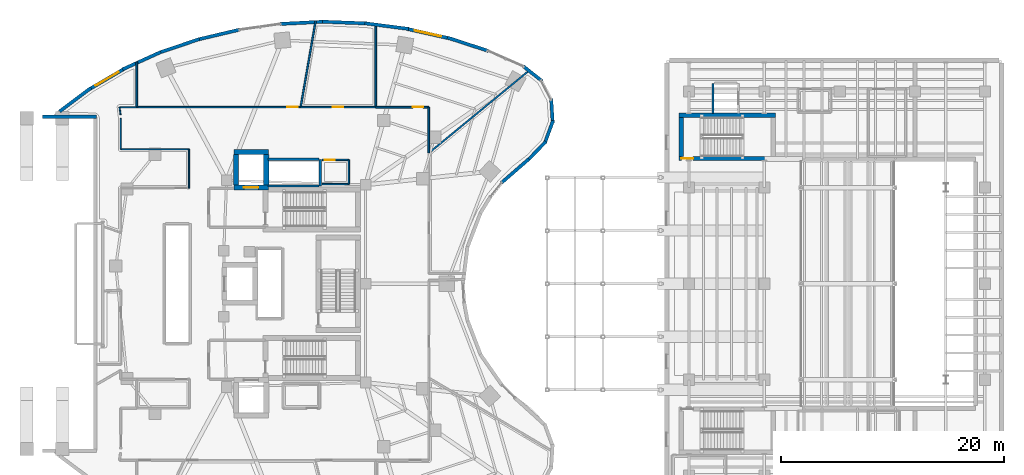
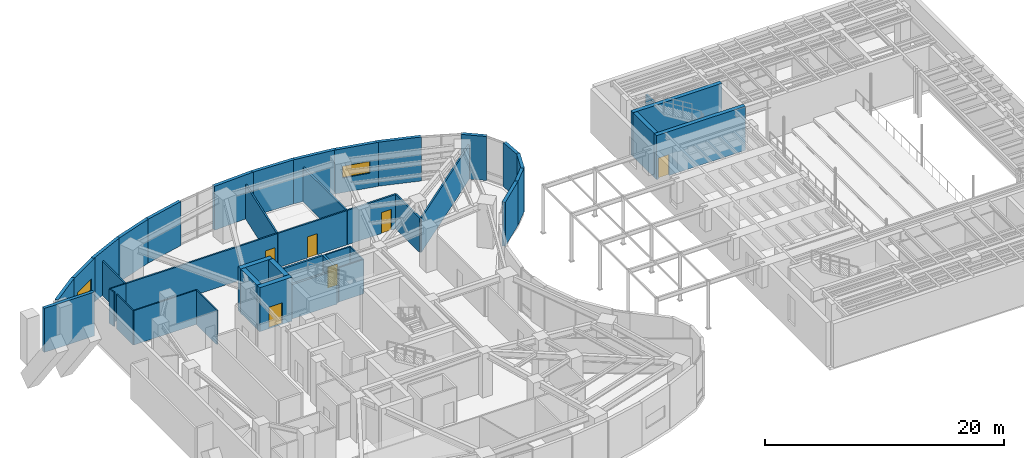
# One storey, part 18 of 24: 43 walls, 6 doors, 2 windows, 8 openings.
"""IFC4 building model written with IfcOpenShell, lengths in metres."""

from ifc_helpers import new_model, si_unit, direction, frame, frame_2d, origin, place, context, subcontext, project, spatial, rectangle, extrude, material, layer, layer_set, type_object, element, fill, save


model = new_model("IFC4")

# Units and contexts
model_context = context("Model", 3, precision=1e-05, world=origin(), true_north=direction((0.0, 1.0)))
body_context = subcontext(model_context, "Body", "Model", "MODEL_VIEW")
ifc_project = project(units=[si_unit("LENGTHUNIT", "METRE"), si_unit("AREAUNIT", "SQUARE_METRE"), si_unit("VOLUMEUNIT", "CUBIC_METRE"), si_unit("PLANEANGLEUNIT", "RADIAN"), si_unit("MASSUNIT", "GRAM", prefix="KILO")], contexts=[model_context])

# Site, building, storey
site_placement = place(None, origin())
site = spatial("IfcSite", under=ifc_project, at=site_placement, CompositionType="ELEMENT")
building_placement = place(site_placement, origin())
building = spatial("IfcBuilding", under=site, at=building_placement, Name="Korentha Bioscience Tower", CompositionType="ELEMENT")
storey_placement = place(building_placement, frame((0.0, 0.0, 5.39990234375)))
storey = spatial("IfcBuildingStorey", under=building, at=storey_placement, Name="L01", CompositionType="ELEMENT", Elevation=5.39990234375)

# Wall, opening, door
ifc_material_1 = material(Name="Double-Stud Acoustic Gypsum", Category="gypsum")
ifc_layer_1 = layer(ifc_material_1, 0.14990234375, Name="Double-Stud Acoustic Gypsum")
ifc_layer_set_1 = layer_set([ifc_layer_1], Name="Double-Stud Acoustic Gypsum (IW-L150)")
wall_type_1 = type_object("IfcWallType", Name="Acoustic Laboratory Partition Wall 150", PredefinedType="PARTITIONING", material=ifc_layer_set_1)
wall_1_placement = place(storey_placement, frame((38.44189453125, 42.81005859375, 0.0), z_axis=(0.0, 0.0, 1.0), x_axis=(-1.0, 0.0, 0.0)))
wall_1 = element("IfcWall", 1, at=wall_1_placement, inside=storey, type_object=wall_type_1, Name="L01 Translational Symposium Lecture Room 11 Entrance Wall", PredefinedType="PARTITIONING", context=body_context, shape_type="SweptSolid", body=[
    extrude(rectangle(XDim=6.71142578125, YDim=0.14990234375, at=frame_2d((3.355712890625, 0.0))), origin(), (0.0, 0.0, 1.0), 3.510009765625),
])
opening_1_placement = place(wall_1_placement, frame((2.878662109375, 0.0, 0.0)))
opening_1 = element("IfcOpeningElement", 2, at=opening_1_placement, cuts=wall_1, Name="Opening ID-10R", PredefinedType="OPENING", context=body_context, shape_type="SweptSolid", body=[
    extrude(rectangle(XDim=0.949951171875, YDim=2.14990234375, at=frame_2d((0.47509765625, 1.074951171875))), frame((0.0, 0.08984375, 0.0), z_axis=(0.0, -1.0, 0.0), x_axis=(1.0, 0.0, 0.0)), (0.0, 0.0, 1.0), 0.1796875),
])
ifc_material_2 = material(Name="Phenolic Laminate Timber Core", Category="wood")
door_type_1 = type_object("IfcDoorType", Name="Laboratory Single Leaf Door 950x2150 Right", OperationType="SINGLE_SWING_RIGHT", PredefinedType="DOOR", material=ifc_material_2)
door_1_placement = place(opening_1_placement, origin())
door_1 = element("IfcDoor", 3, at=door_1_placement, inside=storey, type_object=door_type_1, Name="L01 Translational Symposium Lecture Room 11 Door", OperationType="SINGLE_SWING_RIGHT", OverallHeight=2.14990234375, OverallWidth=0.949951171875, PredefinedType="DOOR", context=body_context, shape_type="SweptSolid", body=[
    extrude(rectangle(XDim=0.949951171875, YDim=2.14990234375, at=frame_2d((0.47509765625, 1.074951171875))), frame((0.0, 0.02490234375, 0.0), z_axis=(0.0, -1.0, 0.0), x_axis=(1.0, 0.0, 0.0)), (0.0, 0.0, 1.0), 0.050048828125),
])
fill(opening_1, door_1)

wall_2_placement = place(storey_placement, frame((31.720703125, 42.81005859375, 0.0), z_axis=(0.0, 0.0, 1.0), x_axis=(-1.0, 0.0, 0.0)))
wall_2 = element("IfcWall", 4, at=wall_2_placement, inside=storey, type_object=wall_type_1, Name="L01 Academic Poster Exhibition Lounge 12 Entrance Wall", PredefinedType="PARTITIONING", context=body_context, shape_type="SweptSolid", body=[
    extrude(rectangle(XDim=14.668701171875, YDim=0.14990234375, at=frame_2d((7.33447265625, 0.0))), origin(), (0.0, 0.0, 1.0), 3.510009765625),
])
opening_2_placement = place(wall_2_placement, frame((0.239990234375, 0.0, 0.0)))
opening_2 = element("IfcOpeningElement", 5, at=opening_2_placement, cuts=wall_2, Name="Opening ID-10L", PredefinedType="OPENING", context=body_context, shape_type="SweptSolid", body=[
    extrude(rectangle(XDim=0.949951171875, YDim=2.14990234375, at=frame_2d((0.47509765625, 1.074951171875))), frame((0.0, 0.08984375, 0.0), z_axis=(0.0, -1.0, 0.0), x_axis=(1.0, 0.0, 0.0)), (0.0, 0.0, 1.0), 0.1796875),
])
door_type_2 = type_object("IfcDoorType", Name="Laboratory Single Leaf Door 950x2150 Left", OperationType="SINGLE_SWING_LEFT", PredefinedType="DOOR", material=ifc_material_2)
door_2_placement = place(opening_2_placement, origin())
door_2 = element("IfcDoor", 6, at=door_2_placement, inside=storey, type_object=door_type_2, Name="L01 Academic Poster Exhibition Lounge 12 Door", OperationType="SINGLE_SWING_LEFT", OverallHeight=2.14990234375, OverallWidth=0.949951171875, PredefinedType="DOOR", context=body_context, shape_type="SweptSolid", body=[
    extrude(rectangle(XDim=0.949951171875, YDim=2.14990234375, at=frame_2d((0.47509765625, 1.074951171875))), frame((0.0, 0.02490234375, 0.0), z_axis=(0.0, -1.0, 0.0), x_axis=(1.0, 0.0, 0.0)), (0.0, 0.0, 1.0), 0.050048828125),
])
fill(opening_2, door_2)

# Walls
wall_3_placement = place(storey_placement, frame((43.2099609375, 38.7041015625, 0.0), z_axis=(0.0, 0.0, 1.0), x_axis=(0.772389381315, 0.635149308141, 0.0)))
element("IfcWall", 7, at=wall_3_placement, inside=storey, type_object=wall_type_1, Name="L01 Interior Partition 046", PredefinedType="PARTITIONING", context=body_context, shape_type="SweptSolid", body=[
    extrude(rectangle(XDim=11.721435546875, YDim=0.14990234375, at=frame_2d((5.86083984375, 0.0))), origin(), (0.0, 0.0, 1.0), 3.510009765625),
])
wall_4_placement = place(storey_placement, frame((31.73046875, 42.81005859375, 0.0), z_axis=(0.0, 0.0, 1.0), x_axis=(0.171661622949, 0.985155971005, 0.0)))
element("IfcWall", 8, at=wall_4_placement, inside=storey, type_object=wall_type_1, Name="L01 Interior Partition 049", PredefinedType="PARTITIONING", context=body_context, shape_type="SweptSolid", body=[
    extrude(rectangle(XDim=7.844970703125, YDim=0.14990234375, at=frame_2d((3.92236328125, 0.0))), origin(), (0.0, 0.0, 1.0), 3.510009765625),
])
wall_5_placement = place(storey_placement, frame((17.052001953125, 42.81005859375, 0.0), z_axis=(0.0, 0.0, 1.0), x_axis=(0.0, 1.0, 0.0)))
element("IfcWall", 9, at=wall_5_placement, inside=storey, type_object=wall_type_1, Name="L01 Interior Partition 050", PredefinedType="PARTITIONING", context=body_context, shape_type="SweptSolid", body=[
    extrude(rectangle(XDim=4.06298828125, YDim=0.14990234375, at=frame_2d((2.031494140625, 0.0))), origin(), (0.0, 0.0, 1.0), 3.510009765625),
])
ifc_material_3 = material(Name="Fire-Rated Framed Glass", Category="glass")
ifc_layer_2 = layer(ifc_material_3, 0.110107421875, Name="Fire-Rated Framed Glass")
ifc_layer_set_2 = layer_set([ifc_layer_2], Name="Fire-Rated Framed Glass (IW-G110)")
wall_type_2 = type_object("IfcWallType", Name="Demountable Glazed Office Partition 110", PredefinedType="MOVABLE", material=ifc_layer_set_2)
wall_6_placement = place(storey_placement, frame((17.0419921875, 42.81005859375, 0.0), z_axis=(0.0, 0.0, 1.0), x_axis=(-1.0, 0.0, 0.0)))
element("IfcWall", 10, at=wall_6_placement, inside=storey, type_object=wall_type_2, Name="L01 Interior Partition 051", PredefinedType="MOVABLE", context=body_context, shape_type="SweptSolid", body=[
    extrude(rectangle(XDim=1.52392578125, YDim=0.110107421875, at=frame_2d((0.761962890625, 0.0))), origin(), (0.0, 0.0, 1.0), 3.510009765625),
])
wall_7_placement = place(storey_placement, frame((15.508056640625, 42.798583984375, 0.0), z_axis=(0.0, 0.0, 1.0), x_axis=(0.146882189547, -0.989153993266, 0.0)))
element("IfcWall", 11, at=wall_7_placement, inside=storey, type_object=wall_type_2, Name="L01 Interior Partition 052", PredefinedType="MOVABLE", context=body_context, shape_type="SweptSolid", body=[
    extrude(rectangle(XDim=0.6630859375, YDim=0.110107421875, at=frame_2d((0.33154296875, 0.0))), origin(), (0.0, 0.0, 1.0), 3.510009765625),
])
wall_8_placement = place(storey_placement, frame((15.6298828125, 41.7998046875, 0.0), z_axis=(0.0, 0.0, 1.0), x_axis=(0.0, -1.0, 0.0)))
element("IfcWall", 12, at=wall_8_placement, inside=storey, type_object=wall_type_2, Name="L01 Interior Partition 053", PredefinedType="MOVABLE", context=body_context, shape_type="SweptSolid", body=[
    extrude(rectangle(XDim=2.749755859375, YDim=0.110107421875, at=frame_2d((1.375, 0.0))), origin(), (0.0, 0.0, 1.0), 3.510009765625),
])
wall_9_placement = place(storey_placement, frame((15.639892578125, 39.0400390625, 0.0), z_axis=(0.0, 0.0, 1.0), x_axis=(1.0, 0.0, 0.0)))
element("IfcWall", 13, at=wall_9_placement, inside=storey, type_object=wall_type_2, Name="L01 Interior Partition 054", PredefinedType="MOVABLE", context=body_context, shape_type="SweptSolid", body=[
    extrude(rectangle(XDim=6.10009765625, YDim=0.110107421875, at=frame_2d((3.050048828125, 0.0))), origin(), (0.0, 0.0, 1.0), 3.510009765625),
])
wall_10_placement = place(storey_placement, frame((21.739990234375, 39.0400390625, 0.0), z_axis=(0.0, 0.0, 1.0), x_axis=(0.0, -1.0, 0.0)))
element("IfcWall", 14, at=wall_10_placement, inside=storey, type_object=wall_type_2, Name="L01 Interior Partition 055", PredefinedType="MOVABLE", context=body_context, shape_type="SweptSolid", body=[
    extrude(rectangle(XDim=3.47998046875, YDim=0.110107421875, at=frame_2d((1.739990234375, 0.0))), origin(), (0.0, 0.0, 1.0), 3.510009765625),
])

# Wall, opening, door
ifc_material_4 = material(Name="Gypsum-Clad Steel Stud", Category="steel")
ifc_layer_3 = layer(ifc_material_4, 0.159912109375, Name="Gypsum-Clad Steel Stud")
ifc_layer_set_3 = layer_set([ifc_layer_3], Name="Gypsum-Clad Steel Stud (IW-C160)")
wall_type_3 = type_object("IfcWallType", Name="Fire-Rated Corridor Partition Wall 160", PredefinedType="PARTITIONING", material=ifc_layer_set_3)
wall_11_placement = place(storey_placement, frame((43.199951171875, 42.81005859375, 0.0), z_axis=(0.0, 0.0, 1.0), x_axis=(-1.0, 0.0, 0.0)))
wall_11 = element("IfcWall", 15, at=wall_11_placement, inside=storey, type_object=wall_type_3, Name="L01 Audio-Visual Equipment Store 10 Entrance Wall", PredefinedType="PARTITIONING", context=body_context, shape_type="SweptSolid", body=[
    extrude(rectangle(XDim=4.748046875, YDim=0.159912109375, at=frame_2d((2.3740234375, 0.0))), origin(), (0.0, 0.0, 1.0), 3.510009765625),
])
opening_3_placement = place(wall_11_placement, frame((0.492919921875, 0.0, 0.0)))
opening_3 = element("IfcOpeningElement", 16, at=opening_3_placement, cuts=wall_11, Name="Opening ID-10L", PredefinedType="OPENING", context=body_context, shape_type="SweptSolid", body=[
    extrude(rectangle(XDim=0.949951171875, YDim=2.14990234375, at=frame_2d((0.47509765625, 1.074951171875))), frame((0.0, 0.0947265625, 0.0), z_axis=(0.0, -1.0, 0.0), x_axis=(1.0, 0.0, 0.0)), (0.0, 0.0, 1.0), 0.189697265625),
])
door_3_placement = place(opening_3_placement, origin())
door_3 = element("IfcDoor", 17, at=door_3_placement, inside=storey, type_object=door_type_2, Name="L01 Audio-Visual Equipment Store 10 Door", OperationType="SINGLE_SWING_LEFT", OverallHeight=2.14990234375, OverallWidth=0.949951171875, PredefinedType="DOOR", context=body_context, shape_type="SweptSolid", body=[
    extrude(rectangle(XDim=0.949951171875, YDim=2.14990234375, at=frame_2d((0.47509765625, 1.074951171875))), frame((0.0, 0.02490234375, 0.0), z_axis=(0.0, -1.0, 0.0), x_axis=(1.0, 0.0, 0.0)), (0.0, 0.0, 1.0), 0.050048828125),
])
fill(opening_3, door_3)

# Walls
wall_12_placement = place(storey_placement, frame((43.2099609375, 38.717041015625, 0.0), z_axis=(0.0, 0.0, 1.0), x_axis=(0.0, 1.0, 0.0)))
element("IfcWall", 18, at=wall_12_placement, inside=storey, type_object=wall_type_3, Name="L01 Interior Partition 047", PredefinedType="PARTITIONING", context=body_context, shape_type="SweptSolid", body=[
    extrude(rectangle(XDim=4.0830078125, YDim=0.159912109375, at=frame_2d((2.04150390625, 0.0))), origin(), (0.0, 0.0, 1.0), 3.510009765625),
])
wall_13_placement = place(storey_placement, frame((38.451904296875, 42.81005859375, 0.0), z_axis=(0.0, 0.0, 1.0), x_axis=(0.0, 1.0, 0.0)))
element("IfcWall", 19, at=wall_13_placement, inside=storey, type_object=wall_type_3, Name="L01 Interior Partition 048", PredefinedType="PARTITIONING", context=body_context, shape_type="SweptSolid", body=[
    extrude(rectangle(XDim=7.504150390625, YDim=0.159912109375, at=frame_2d((3.751953125, 0.0))), origin(), (0.0, 0.0, 1.0), 3.510009765625),
])

# Wall, opening, window
ifc_material_5 = material(Name="Honed Limestone Precast Concrete C40", Category="masonry")
ifc_layer_4 = layer(ifc_material_5, 0.300048828125, Name="Honed Limestone Precast Concrete C40")
ifc_layer_set_4 = layer_set([ifc_layer_4], Name="Honed Limestone Precast Concrete C40 (EW-ST300)")
wall_type_4 = type_object("IfcWallType", Name="Honed Limestone Cavity Spandrel Wall 300", PredefinedType="STANDARD", material=ifc_layer_set_4)
wall_14_placement = place(storey_placement, frame((45.015869140625, 48.97607421875, 0.0), z_axis=(0.0, 0.0, 1.0), x_axis=(-0.9758772609, 0.218319883791, 0.0)))
wall_14 = element("IfcWall", 20, at=wall_14_placement, inside=storey, type_object=wall_type_4, Name="L01 Honed Limestone Spandrel Wall 03", PredefinedType="STANDARD", context=body_context, shape_type="SweptSolid", body=[
    extrude(rectangle(XDim=3.869140625, YDim=0.300048828125, at=frame_2d((1.9345703125, 0.0))), origin(), (0.0, 0.0, 1.0), 4.5),
])
opening_4_placement = place(wall_14_placement, frame((0.734619140625, 0.0, 1.5)))
opening_4 = element("IfcOpeningElement", 21, at=opening_4_placement, cuts=wall_14, Name="Opening WN-04", PredefinedType="OPENING", context=body_context, shape_type="SweptSolid", body=[
    extrude(rectangle(XDim=2.39990234375, YDim=1.199951171875, at=frame_2d((1.199951171875, 0.60009765625))), frame((0.0, 0.1650390625, 0.0), z_axis=(0.0, -1.0, 0.0), x_axis=(1.0, 0.0, 0.0)), (0.0, 0.0, 1.0), 0.329833984375),
])
ifc_material_6 = material(Name="Thermally Broken Aluminium Triple Glazing", Category="aluminium")
window_type = type_object("IfcWindowType", Name="Podium Clerestory Ribbon Window 2400x1200", PartitioningType="DOUBLE_PANEL_HORIZONTAL", PredefinedType="WINDOW", material=ifc_material_6)
window_1_placement = place(opening_4_placement, origin())
window_1 = element("IfcWindow", 22, at=window_1_placement, inside=storey, type_object=window_type, Name="L01 Facade Window 03", OverallHeight=1.199951171875, OverallWidth=2.39990234375, PartitioningType="DOUBLE_PANEL_HORIZONTAL", PredefinedType="WINDOW", context=body_context, shape_type="SweptSolid", body=[
    extrude(rectangle(XDim=2.39990234375, YDim=1.199951171875, at=frame_2d((1.199951171875, 0.60009765625))), frame((0.0, 0.030029296875, 0.0), z_axis=(0.0, -1.0, 0.0), x_axis=(1.0, 0.0, 0.0)), (0.0, 0.0, 1.0), 0.06005859375),
])
fill(opening_4, window_1)

wall_15_placement = place(storey_placement, frame((15.943603515625, 46.25048828125, 0.0), z_axis=(0.0, 0.0, 1.0), x_axis=(-0.862473134325, -0.506102847817, 0.0)))
wall_15 = element("IfcWall", 23, at=wall_15_placement, inside=storey, type_object=wall_type_4, Name="L01 Honed Limestone Spandrel Wall 11", PredefinedType="STANDARD", context=body_context, shape_type="SweptSolid", body=[
    extrude(rectangle(XDim=3.59521484375, YDim=0.300048828125, at=frame_2d((1.797607421875, 0.0))), origin(), (0.0, 0.0, 1.0), 4.5),
])
opening_5_placement = place(wall_15_placement, frame((0.59765625, 0.0, 1.5)))
opening_5 = element("IfcOpeningElement", 24, at=opening_5_placement, cuts=wall_15, Name="Opening WN-04", PredefinedType="OPENING", context=body_context, shape_type="SweptSolid", body=[
    extrude(rectangle(XDim=2.39990234375, YDim=1.199951171875, at=frame_2d((1.199951171875, 0.60009765625))), frame((0.0, 0.1650390625, 0.0), z_axis=(0.0, -1.0, 0.0), x_axis=(1.0, 0.0, 0.0)), (0.0, 0.0, 1.0), 0.329833984375),
])
window_2_placement = place(opening_5_placement, origin())
window_2 = element("IfcWindow", 25, at=window_2_placement, inside=storey, type_object=window_type, Name="L01 Facade Window 11", OverallHeight=1.199951171875, OverallWidth=2.39990234375, PartitioningType="DOUBLE_PANEL_HORIZONTAL", PredefinedType="WINDOW", context=body_context, shape_type="SweptSolid", body=[
    extrude(rectangle(XDim=2.39990234375, YDim=1.199951171875, at=frame_2d((1.199951171875, 0.60009765625))), frame((0.0, 0.030029296875, 0.0), z_axis=(0.0, -1.0, 0.0), x_axis=(1.0, 0.0, 0.0)), (0.0, 0.0, 1.0), 0.06005859375),
])
fill(opening_5, window_2)

# Walls
wall_16_placement = place(storey_placement, frame((48.524658203125, 47.84912109375, 0.0), z_axis=(0.0, 0.0, 1.0), x_axis=(-0.950965833732, 0.309295947393, 0.0)))
element("IfcWall", 26, at=wall_16_placement, inside=storey, type_object=wall_type_4, Name="L01 Limestone Perimeter Closure Wall 02", PredefinedType="STANDARD", context=body_context, shape_type="SweptSolid", body=[
    extrude(rectangle(XDim=3.840087890625, YDim=0.300048828125, at=frame_2d((1.919921875, 0.0))), origin(), (0.0, 0.0, 1.0), 4.5),
])
wall_17_placement = place(storey_placement, frame((41.39501953125, 49.814697265625, 0.0), z_axis=(0.0, 0.0, 1.0), x_axis=(-0.991734095036, 0.128310111617, 0.0)))
element("IfcWall", 27, at=wall_17_placement, inside=storey, type_object=wall_type_4, Name="L01 Limestone Perimeter Closure Wall 04", PredefinedType="STANDARD", context=body_context, shape_type="SweptSolid", body=[
    extrude(rectangle(XDim=3.955810546875, YDim=0.300048828125, at=frame_2d((1.97802734375, 0.0))), origin(), (0.0, 0.0, 1.0), 4.5),
])
wall_18_placement = place(storey_placement, frame((37.643798828125, 50.307861328125, 0.0), z_axis=(0.0, 0.0, 1.0), x_axis=(-0.999245411623, 0.038840794937, 0.0)))
element("IfcWall", 28, at=wall_18_placement, inside=storey, type_object=wall_type_4, Name="L01 Limestone Perimeter Closure Wall 05", PredefinedType="STANDARD", context=body_context, shape_type="SweptSolid", body=[
    extrude(rectangle(XDim=3.978759765625, YDim=0.300048828125, at=frame_2d((1.9892578125, 0.0))), origin(), (0.0, 0.0, 1.0), 4.5),
])
wall_19_placement = place(storey_placement, frame((33.84033203125, 50.46337890625, 0.0), z_axis=(0.0, 0.0, 1.0), x_axis=(-0.998732359232, -0.050335619826, 0.0)))
element("IfcWall", 29, at=wall_19_placement, inside=storey, type_object=wall_type_4, Name="L01 Limestone Perimeter Closure Wall 06", PredefinedType="STANDARD", context=body_context, shape_type="SweptSolid", body=[
    extrude(rectangle(XDim=3.977294921875, YDim=0.300048828125, at=frame_2d((1.98876953125, 0.0))), origin(), (0.0, 0.0, 1.0), 4.5),
])
wall_20_placement = place(storey_placement, frame((26.29736328125, 49.7587890625, 0.0), z_axis=(0.0, 0.0, 1.0), x_axis=(-0.973197600754, -0.229970497863, 0.0)))
element("IfcWall", 30, at=wall_20_placement, inside=storey, type_object=wall_type_4, Name="L01 Limestone Perimeter Closure Wall 08", PredefinedType="STANDARD", context=body_context, shape_type="SweptSolid", body=[
    extrude(rectangle(XDim=3.9013671875, YDim=0.300048828125, at=frame_2d((1.95068359375, 0.0))), origin(), (0.0, 0.0, 1.0), 4.5),
])
wall_21_placement = place(storey_placement, frame((22.6669921875, 48.9091796875, 0.0), z_axis=(0.0, 0.0, 1.0), x_axis=(-0.94702579403, -0.321157508773, 0.0)))
element("IfcWall", 31, at=wall_21_placement, inside=storey, type_object=wall_type_4, Name="L01 Limestone Perimeter Closure Wall 09", PredefinedType="STANDARD", context=body_context, shape_type="SweptSolid", body=[
    extrude(rectangle(XDim=3.829833984375, YDim=0.300048828125, at=frame_2d((1.9150390625, 0.0))), origin(), (0.0, 0.0, 1.0), 4.5),
])
wall_22_placement = place(storey_placement, frame((19.201416015625, 47.7431640625, 0.0), z_axis=(0.0, 0.0, 1.0), x_axis=(-0.910623406862, -0.413237233166, 0.0)))
element("IfcWall", 32, at=wall_22_placement, inside=storey, type_object=wall_type_4, Name="L01 Limestone Perimeter Closure Wall 10", PredefinedType="STANDARD", context=body_context, shape_type="SweptSolid", body=[
    extrude(rectangle(XDim=3.73974609375, YDim=0.300048828125, at=frame_2d((1.869873046875, 0.0))), origin(), (0.0, 0.0, 1.0), 4.5),
])
wall_23_placement = place(storey_placement, frame((12.96142578125, 44.53515625, 0.0), z_axis=(0.0, 0.0, 1.0), x_axis=(-0.800823020995, -0.598901067827, 0.0)))
element("IfcWall", 33, at=wall_23_placement, inside=storey, type_object=wall_type_4, Name="L01 Limestone Perimeter Closure Wall 12", PredefinedType="STANDARD", context=body_context, shape_type="SweptSolid", body=[
    extrude(rectangle(XDim=3.520751953125, YDim=0.300048828125, at=frame_2d((1.76025390625, 0.0))), origin(), (0.0, 0.0, 1.0), 4.5),
])
wall_24_placement = place(storey_placement, frame((49.708984375, 36.029296875, 0.0), z_axis=(0.0, 0.0, 1.0), x_axis=(0.754746490246, 0.656016566454, 0.0)))
element("IfcWall", 34, at=wall_24_placement, inside=storey, type_object=wall_type_4, Name="L01 Limestone Perimeter Closure Wall 56", PredefinedType="STANDARD", context=body_context, shape_type="SweptSolid", body=[
    extrude(rectangle(XDim=3.4296875, YDim=0.300048828125, at=frame_2d((1.71484375, 0.0))), origin(), (0.0, 0.0, 1.0), 4.5),
])
wall_25_placement = place(storey_placement, frame((52.1728515625, 38.1611328125, 0.0), z_axis=(0.0, 0.0, 1.0), x_axis=(0.695404695719, 0.718618333451, 0.0)))
element("IfcWall", 35, at=wall_25_placement, inside=storey, type_object=wall_type_4, Name="L01 Limestone Perimeter Closure Wall 58", PredefinedType="STANDARD", context=body_context, shape_type="SweptSolid", body=[
    extrude(rectangle(XDim=2.1875, YDim=0.300048828125, at=frame_2d((1.09375, 0.0))), origin(), (0.0, 0.0, 1.0), 4.5),
])
for number, where, z_axis, x_axis, name in (
    (36, (53.580078125, 39.551513671875, 0.0), (0.0, 0.0, 1.0), (0.344939866054, 0.938624785954, 0.0), "L01 Limestone Perimeter Closure Wall 59"),
    (37, (54.303955078125, 41.392578125, 0.0), (0.0, 0.0, 1.0), (-0.064615302336, 0.99791024782, 0.0), "L01 Limestone Perimeter Closure Wall 60"),
    (38, (53.343994140625, 45.142822265625, 0.0), (0.0, 0.0, 1.0), (-0.782282158644, 0.622924252432, 0.0), "L01 Limestone Perimeter Closure Wall 62"),
):
    element("IfcWall", number, at=place(storey_placement, frame(where, z_axis=z_axis, x_axis=x_axis)), inside=storey, type_object=wall_type_4, Name=name, PredefinedType="STANDARD", context=body_context, shape_type="SweptSolid", body=[
        extrude(rectangle(XDim=2.187744140625, YDim=0.300048828125, at=frame_2d((1.09375, 0.0))), origin(), (0.0, 0.0, 1.0), 4.5),
    ])
wall_26_placement = place(storey_placement, frame((8.60009765625, 41.949951171875, 0.0), z_axis=(0.0, 0.0, 1.0), x_axis=(1.0, 0.0, 0.0)))
element("IfcWall", 39, at=wall_26_placement, inside=storey, type_object=wall_type_4, Name="L01 Arch Plaza Recess North Cheek Wall", PredefinedType="STANDARD", context=body_context, shape_type="SweptSolid", body=[
    extrude(rectangle(XDim=4.849853515625, YDim=0.300048828125, at=frame_2d((2.4248046875, 0.0))), origin(), (0.0, 0.0, 1.0), 4.5),
])
ifc_material_7 = material(Name="Autoclaved Aerated Concrete Block C25", Category="concrete")
ifc_layer_5 = layer(ifc_material_7, 0.199951171875, Name="Autoclaved Aerated Concrete Block C25")
ifc_layer_set_5 = layer_set([ifc_layer_5], Name="Autoclaved Aerated Concrete Block C25 (IW-S200)")
wall_type_5 = type_object("IfcWallType", Name="Lift and Riser Shaft Enclosure Wall 200", PredefinedType="PARTITIONING", material=ifc_layer_set_5)
wall_27_placement = place(storey_placement, frame((33.489990234375, 35.760009765625, 0.0), z_axis=(0.0, 0.0, 1.0), x_axis=(0.0, 1.0, 0.0)))
element("IfcWall", 40, at=wall_27_placement, inside=storey, type_object=wall_type_5, Name="L01 Lift Bank OBS Shaft Wall +X", PredefinedType="PARTITIONING", context=body_context, shape_type="SweptSolid", body=[
    extrude(rectangle(XDim=2.3798828125, YDim=0.199951171875, at=frame_2d((1.18994140625, 0.0))), origin(), (0.0, 0.0, 1.0), 3.510009765625),
])
for number, where, z_axis, x_axis, name in (
    (41, (28.800048828125, 35.760009765625, 0.0), (0.0, 0.0, 1.0), (1.0, 0.0, 0.0), "L01 Lift Bank OBS Shaft Wall -Y"),
    (42, (28.800048828125, 38.139892578125, 0.0), (0.0, 0.0, 1.0), (1.0, 0.0, 0.0), "L01 Lift Bank OBS Shaft Wall +Y"),
):
    element("IfcWall", number, at=place(storey_placement, frame(where, z_axis=z_axis, x_axis=x_axis)), inside=storey, type_object=wall_type_5, Name=name, PredefinedType="PARTITIONING", context=body_context, shape_type="SweptSolid", body=[
        extrude(rectangle(XDim=4.570068359375, YDim=0.199951171875, at=frame_2d((2.28515625, 0.0))), origin(), (0.0, 0.0, 1.0), 3.510009765625),
    ])
wall_28_placement = place(storey_placement, frame((68.659912109375, 42.260009765625, 0.0), z_axis=(0.0, 0.0, 1.0), x_axis=(0.0, 1.0, 0.0)))
element("IfcWall", 43, at=wall_28_placement, inside=storey, type_object=wall_type_5, Name="L01 Lift Bank LT1 Shaft Wall -X", PredefinedType="PARTITIONING", context=body_context, shape_type="SweptSolid", body=[
    extrude(rectangle(XDim=2.679931640625, YDim=0.199951171875, at=frame_2d((1.33984375, 0.0))), origin(), (0.0, 0.0, 1.0), 3.510009765625),
])
ifc_material_8 = material(Name="Concrete C80", Category="concrete")
ifc_layer_6 = layer(ifc_material_8, 0.449951171875, Name="Concrete C80")
ifc_layer_set_6 = layer_set([ifc_layer_6], Name="Concrete C80 (CW-C80)")
wall_type_6 = type_object("IfcWallType", Name="Lower Core Shear Wall 450", PredefinedType="SHEAR", material=ifc_layer_set_6)
wall_29_placement = place(storey_placement, frame((25.75, 38.800048828125, 0.0), z_axis=(0.0, 0.0, 1.0), x_axis=(1.0, 0.0, 0.0)))
element("IfcWall", 44, at=wall_29_placement, inside=storey, type_object=wall_type_6, Name="L01 Core Shear Wall FFL2-N", PredefinedType="SHEAR", context=body_context, shape_type="SweptSolid", body=[
    extrude(rectangle(XDim=3.10009765625, YDim=0.449951171875, at=frame_2d((1.550048828125, 0.0))), origin(), (0.0, 0.0, 1.0), 4.5),
])

# Wall, opening, door
wall_30_placement = place(storey_placement, frame((25.75, 35.6201171875, 0.0), z_axis=(0.0, 0.0, 1.0), x_axis=(1.0, 0.0, 0.0)))
wall_30 = element("IfcWall", 45, at=wall_30_placement, inside=storey, type_object=wall_type_6, Name="L01 Core Shear Wall FFL2-S", PredefinedType="SHEAR", context=body_context, shape_type="SweptSolid", body=[
    extrude(rectangle(XDim=3.10009765625, YDim=0.449951171875, at=frame_2d((1.550048828125, 0.0))), origin(), (0.0, 0.0, 1.0), 4.5),
])
opening_6_placement = place(wall_30_placement, frame((0.89990234375, 0.0, 0.0)))
opening_6 = element("IfcOpeningElement", 46, at=opening_6_placement, cuts=wall_30, Name="Opening LD-13", PredefinedType="OPENING", context=body_context, shape_type="SweptSolid", body=[
    extrude(rectangle(XDim=1.300048828125, YDim=2.199951171875, at=frame_2d((0.64990234375, 1.10009765625))), frame((0.0, 0.23974609375, 0.0), z_axis=(0.0, -1.0, 0.0), x_axis=(1.0, 0.0, 0.0)), (0.0, 0.0, 1.0), 0.479736328125),
])
ifc_material_9 = material(Name="Brushed Stainless Steel 316", Category="steel")
door_type_3 = type_object("IfcDoorType", Name="Service & Firefighting Lift Landing Door 1300x2300", OperationType="DOUBLE_DOOR_SLIDING", PredefinedType="DOOR", material=ifc_material_9)
door_4_placement = place(opening_6_placement, origin())
door_4 = element("IfcDoor", 47, at=door_4_placement, inside=storey, type_object=door_type_3, Name="L01 FFL-2 Sliding Lift Landing Door", OperationType="DOUBLE_DOOR_SLIDING", OverallHeight=2.199951171875, OverallWidth=1.300048828125, PredefinedType="DOOR", context=body_context, shape_type="SweptSolid", body=[
    extrude(rectangle(XDim=1.300048828125, YDim=2.199951171875, at=frame_2d((0.64990234375, 1.10009765625))), frame((0.0, 0.02490234375, 0.0), z_axis=(0.0, -1.0, 0.0), x_axis=(1.0, 0.0, 0.0)), (0.0, 0.0, 1.0), 0.050048828125),
])
fill(opening_6, door_4)

# Walls
for number, where, z_axis, x_axis, name in (
    (48, (25.949951171875, 35.860107421875, 0.0), (0.0, 0.0, 1.0), (0.0, 1.0, 0.0), "L01 Core Shear Wall FFL2-W"),
    (49, (28.64990234375, 35.860107421875, 0.0), (0.0, 0.0, 1.0), (0.0, 1.0, 0.0), "L01 Core Shear Wall FFL2-E"),
):
    element("IfcWall", number, at=place(storey_placement, frame(where, z_axis=z_axis, x_axis=x_axis)), inside=storey, type_object=wall_type_6, Name=name, PredefinedType="SHEAR", context=body_context, shape_type="SweptSolid", body=[
        extrude(rectangle(XDim=2.699951171875, YDim=0.449951171875, at=frame_2d((1.35009765625, 0.0))), origin(), (0.0, 0.0, 1.0), 4.5),
    ])

# Wall, opening, door
ifc_material_10 = material(Name="Concrete C50", Category="concrete")
ifc_layer_7 = layer(ifc_material_10, 0.3798828125, Name="Concrete C50")
ifc_layer_set_7 = layer_set([ifc_layer_7], Name="Concrete C50 (TW-I380)")
wall_type_7 = type_object("IfcWallType", Name="Theatre Proscenium Shear Wall 380", PredefinedType="SHEAR", material=ifc_layer_set_7)
wall_31_placement = place(storey_placement, frame((65.6201171875, 38.2099609375, 0.0), z_axis=(0.0, 0.0, 1.0), x_axis=(1.0, 0.0, 0.0)))
wall_31 = element("IfcWall", 50, at=wall_31_placement, inside=storey, type_object=wall_type_7, Name="L01 Theatre Shear Wall STT2-S", PredefinedType="SHEAR", context=body_context, shape_type="SweptSolid", body=[
    extrude(rectangle(XDim=8.60986328125, YDim=0.3798828125, at=frame_2d((4.304931640625, 0.0))), origin(), (0.0, 0.0, 1.0), 4.5),
])
opening_7_placement = place(wall_31_placement, frame((0.199951171875, 0.0, 0.0)))
opening_7 = element("IfcOpeningElement", 51, at=opening_7_placement, cuts=wall_31, Name="Opening FD-90L", PredefinedType="OPENING", context=body_context, shape_type="SweptSolid", body=[
    extrude(rectangle(XDim=1.050048828125, YDim=2.14990234375, at=frame_2d((0.52490234375, 1.074951171875))), frame((0.0, 0.204833984375, 0.0), z_axis=(0.0, -1.0, 0.0), x_axis=(1.0, 0.0, 0.0)), (0.0, 0.0, 1.0), 0.40966796875),
])
ifc_material_11 = material(Name="Powder-Coated Fire-Rated Steel", Category="steel")
door_type_4 = type_object("IfcDoorType", Name="Stairwell Fire Exit Door 1050x2150 Left", OperationType="SINGLE_SWING_LEFT", PredefinedType="DOOR", material=ifc_material_11)
door_5_placement = place(opening_7_placement, origin())
door_5 = element("IfcDoor", 52, at=door_5_placement, inside=storey, type_object=door_type_4, Name="L01 ST-T2 Fire Exit Stair Door", OperationType="SINGLE_SWING_LEFT", OverallHeight=2.14990234375, OverallWidth=1.050048828125, PredefinedType="DOOR", context=body_context, shape_type="SweptSolid", body=[
    extrude(rectangle(XDim=1.050048828125, YDim=2.14990234375, at=frame_2d((0.52490234375, 1.074951171875))), frame((0.0, 0.02490234375, 0.0), z_axis=(0.0, -1.0, 0.0), x_axis=(1.0, 0.0, 0.0)), (0.0, 0.0, 1.0), 0.050048828125),
])
fill(opening_7, door_5)

# Walls
wall_32_placement = place(storey_placement, frame((65.6201171875, 42.090087890625, 0.0), z_axis=(0.0, 0.0, 1.0), x_axis=(1.0, 0.0, 0.0)))
element("IfcWall", 53, at=wall_32_placement, inside=storey, type_object=wall_type_7, Name="L01 Theatre Shear Wall STT2-N", PredefinedType="SHEAR", context=body_context, shape_type="SweptSolid", body=[
    extrude(rectangle(XDim=8.60986328125, YDim=0.3798828125, at=frame_2d((4.304931640625, 0.0))), origin(), (0.0, 0.0, 1.0), 4.5),
])
wall_33_placement = place(storey_placement, frame((65.81005859375, 38.409912109375, 0.0), z_axis=(0.0, 0.0, 1.0), x_axis=(0.0, 1.0, 0.0)))
element("IfcWall", 54, at=wall_33_placement, inside=storey, type_object=wall_type_7, Name="L01 Theatre Shear Wall STT2-W", PredefinedType="SHEAR", context=body_context, shape_type="SweptSolid", body=[
    extrude(rectangle(XDim=3.47998046875, YDim=0.3798828125, at=frame_2d((1.739990234375, 0.0))), origin(), (0.0, 0.0, 1.0), 4.5),
])

# Wall, opening, door
ifc_material_12 = material(Name="Cement-Board Steel Stud", Category="steel")
ifc_layer_8 = layer(ifc_material_12, 0.1298828125, Name="Cement-Board Steel Stud")
ifc_layer_set_8 = layer_set([ifc_layer_8], Name="Cement-Board Steel Stud (IW-W130)")
wall_type_8 = type_object("IfcWallType", Name="Wet-Area Moisture-Resistant Partition 130", PredefinedType="PARTITIONING", material=ifc_layer_set_8)
wall_34_placement = place(storey_placement, frame((33.64990234375, 38.090087890625, 0.0), z_axis=(0.0, 0.0, 1.0), x_axis=(1.0, 0.0, 0.0)))
wall_34 = element("IfcWall", 55, at=wall_34_placement, inside=storey, type_object=wall_type_8, Name="L01 Accessible Staff WC Entrance Wall", PredefinedType="PARTITIONING", context=body_context, shape_type="SweptSolid", body=[
    extrude(rectangle(XDim=2.400146484375, YDim=0.1298828125, at=frame_2d((1.2001953125, 0.0))), origin(), (0.0, 0.0, 1.0), 3.510009765625),
])
opening_8_placement = place(wall_34_placement, frame((0.239990234375, 0.0, 0.0)))
opening_8 = element("IfcOpeningElement", 56, at=opening_8_placement, cuts=wall_34, Name="Opening ID-09L", PredefinedType="OPENING", context=body_context, shape_type="SweptSolid", body=[
    extrude(rectangle(XDim=0.89990234375, YDim=2.14990234375, at=frame_2d((0.449951171875, 1.074951171875))), frame((0.0, 0.079833984375, 0.0), z_axis=(0.0, -1.0, 0.0), x_axis=(1.0, 0.0, 0.0)), (0.0, 0.0, 1.0), 0.15966796875),
])
ifc_material_13 = material(Name="Moisture-Resistant HPL Leaf", Category="wood")
door_type_5 = type_object("IfcDoorType", Name="Restroom & Accessible WC Door 900x2150 Left", OperationType="SINGLE_SWING_LEFT", PredefinedType="DOOR", material=ifc_material_13)
door_6_placement = place(opening_8_placement, origin())
door_6 = element("IfcDoor", 57, at=door_6_placement, inside=storey, type_object=door_type_5, Name="L01 Accessible Staff WC Door", OperationType="SINGLE_SWING_LEFT", OverallHeight=2.14990234375, OverallWidth=0.89990234375, PredefinedType="DOOR", context=body_context, shape_type="SweptSolid", body=[
    extrude(rectangle(XDim=0.89990234375, YDim=2.14990234375, at=frame_2d((0.449951171875, 1.074951171875))), frame((0.0, 0.02490234375, 0.0), z_axis=(0.0, -1.0, 0.0), x_axis=(1.0, 0.0, 0.0)), (0.0, 0.0, 1.0), 0.050048828125),
])
fill(opening_8, door_6)

# Walls
wall_35_placement = place(storey_placement, frame((36.050048828125, 35.909912109375, 0.0), z_axis=(0.0, 0.0, 1.0), x_axis=(-1.0, 0.0, 0.0)))
element("IfcWall", 58, at=wall_35_placement, inside=storey, type_object=wall_type_8, Name="L01 Interior Partition 024", PredefinedType="PARTITIONING", context=body_context, shape_type="SweptSolid", body=[
    extrude(rectangle(XDim=2.400146484375, YDim=0.1298828125, at=frame_2d((1.2001953125, 0.0))), origin(), (0.0, 0.0, 1.0), 3.510009765625),
])
wall_36_placement = place(storey_placement, frame((36.050048828125, 38.090087890625, 0.0), z_axis=(0.0, 0.0, 1.0), x_axis=(0.0, -1.0, 0.0)))
element("IfcWall", 59, at=wall_36_placement, inside=storey, type_object=wall_type_8, Name="L01 Interior Partition 025", PredefinedType="PARTITIONING", context=body_context, shape_type="SweptSolid", body=[
    extrude(rectangle(XDim=2.18017578125, YDim=0.1298828125, at=frame_2d((1.090087890625, 0.0))), origin(), (0.0, 0.0, 1.0), 3.510009765625),
])

save(model, "model.ifc")
